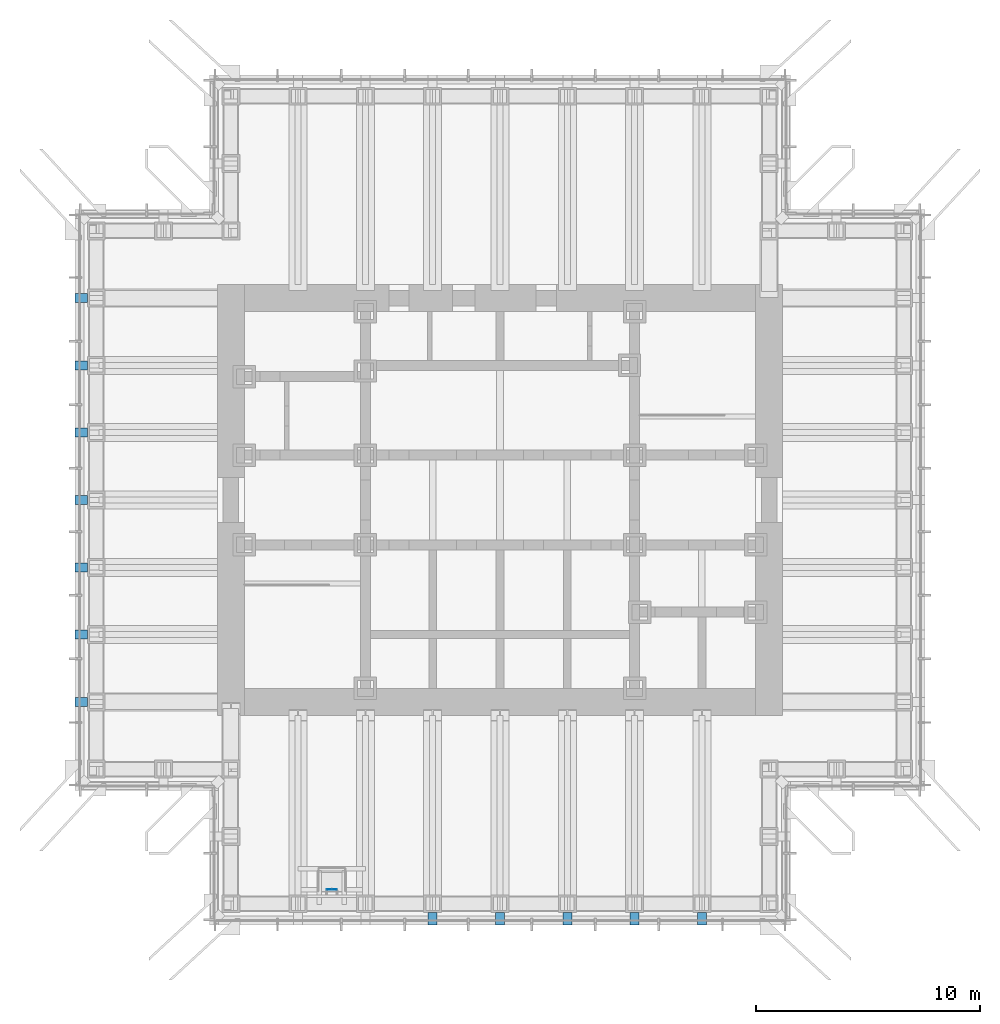
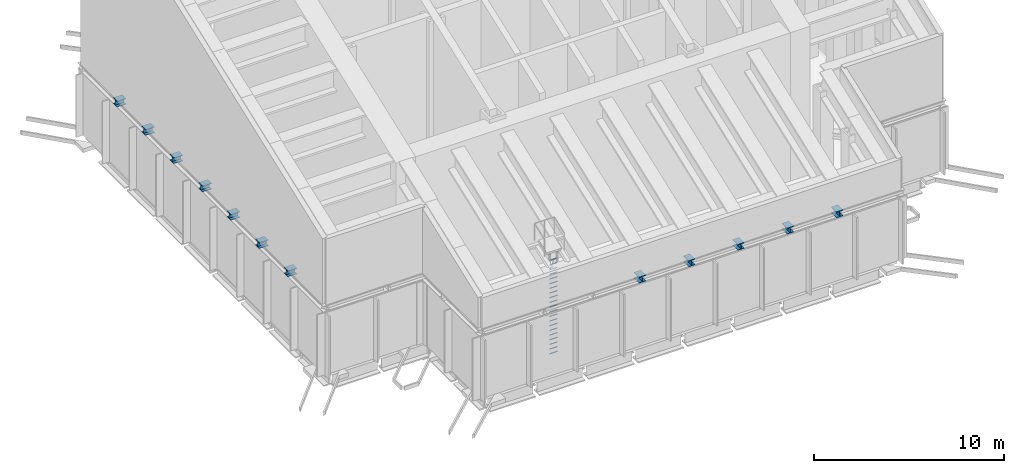
# One storey, part 8 of 15: 21 members, 12 beams.
"""IFC4 building model written with IfcOpenShell, lengths in metres."""

import ifcopenshell
import ifcopenshell.guid

model = None  # the IFC model being written
_history = None  # IfcOwnerHistory: only IFC2X3 demands one
_inside = {}  # id of a spatial element -> (the spatial element, [elements in it])
_under = {}  # id of a project, library or spatial element -> (it, [spatial elements below it])
_declared = {}  # id of a project -> (the project, [libraries it declares])
_typed = {}  # id of a type object -> (the type object, [elements of that type])
_made_of = {}  # id of a material, layer set ... -> (it, [elements and type objects made of it])


def new_model(schema):
    """Start an empty IFC model of exactly this schema.

    Asked for "IFC4X3", IfcOpenShell would pick the latest addendum, in which some entities
    have other attributes; the version numbers below select the first issue.
    IFC2X3 requires an IfcOwnerHistory on every rooted entity: one is made here for all.
    """
    global model, _history
    if schema == "IFC4X3":
        model = ifcopenshell.file(schema_version=(4, 3, 0, 0))
    else:
        model = ifcopenshell.file(schema=schema)
    _inside.clear()
    _under.clear()
    _declared.clear()
    _typed.clear()
    _made_of.clear()
    _history = None
    if model.schema == "IFC2X3":
        org = make("IfcOrganization", Name="unknown")
        user = make(
            "IfcPersonAndOrganization",
            ThePerson=make("IfcPerson", FamilyName="unknown"),
            TheOrganization=org,
        )
        app = make(
            "IfcApplication",
            ApplicationDeveloper=org,
            Version="unknown",
            ApplicationFullName="unknown",
            ApplicationIdentifier="unknown",
        )
        _history = make(
            "IfcOwnerHistory",
            OwningUser=user,
            OwningApplication=app,
            ChangeAction="ADDED",
            CreationDate=0,
        )
    return model


def make(cls, **values):
    """One entity of the class cls with the attributes given. An attribute that is None is left unset."""
    return model.create_entity(
        cls, **{name: value for name, value in values.items() if value is not None}
    )


def rooted(cls, **values):
    """An entity with a GlobalId (a new one), such as an element, a storey or a relation."""
    return make(cls, GlobalId=ifcopenshell.guid.new(), OwnerHistory=_history, **values)


def si_unit(unit_type, name, prefix=None):
    """IfcSIUnit, for example si_unit("LENGTHUNIT", "METRE", prefix="MILLI")."""
    return make("IfcSIUnit", UnitType=unit_type, Prefix=prefix, Name=name)


def assignment(units):
    """IfcUnitAssignment: the units of a project."""
    return None if units is None else make("IfcUnitAssignment", Units=units)


def point(xyz):
    """IfcCartesianPoint."""
    return None if xyz is None else make("IfcCartesianPoint", Coordinates=xyz)


def direction(xyz):
    """IfcDirection."""
    return None if xyz is None else make("IfcDirection", DirectionRatios=xyz)


def frame(location, z_axis=None, x_axis=None):
    """IfcAxis2Placement3D, a coordinate frame: its origin and axes. An axis left out is left unset."""
    return make(
        "IfcAxis2Placement3D",
        Location=point(location),
        Axis=direction(z_axis),
        RefDirection=direction(x_axis),
    )


def frame_2d(location, x_axis=None):
    """IfcAxis2Placement2D, a coordinate frame in the plane: its origin and x axis."""
    return make(
        "IfcAxis2Placement2D", Location=point(location), RefDirection=direction(x_axis)
    )


def origin():
    """The frame at (0, 0, 0) with its axes left unset."""
    return frame((0.0, 0.0, 0.0))


def origin_2d():
    """The frame at (0, 0) in the plane with its x axis left unset."""
    return frame_2d((0.0, 0.0))


def place(relative_to, where):
    """IfcLocalPlacement: puts the frame where relative to a parent placement (None: the world)."""
    return make(
        "IfcLocalPlacement", PlacementRelTo=relative_to, RelativePlacement=where
    )


def context(
    kind, dimensions, precision=None, world=None, true_north=None, identifier=None
):
    """IfcGeometricRepresentationContext, for example the 3D "Model" context."""
    return make(
        "IfcGeometricRepresentationContext",
        ContextIdentifier=identifier,
        ContextType=kind,
        CoordinateSpaceDimension=dimensions,
        Precision=precision,
        WorldCoordinateSystem=world,
        TrueNorth=true_north,
    )


def subcontext(parent, identifier, kind, view, scale=None):
    """IfcGeometricRepresentationSubContext, for example "Body" below "Model"."""
    return make(
        "IfcGeometricRepresentationSubContext",
        ContextIdentifier=identifier,
        ContextType=kind,
        ParentContext=parent,
        TargetScale=scale,
        TargetView=view,
    )


def project(units=None, contexts=None):
    """IfcProject with its units and contexts."""
    return rooted(
        "IfcProject",
        Name="project",
        RepresentationContexts=contexts,
        UnitsInContext=assignment(units),
    )


def spatial(cls, under=None, at=None, **own):
    """A site, building, storey or space (cls), placed at a placement, below another one or the project."""
    s = rooted(cls, ObjectPlacement=at, **own)
    if under is not None:
        _under.setdefault(under.id(), (under, []))[1].append(s)
    return s


def profile(cls, at=None, kind="AREA", **sizes):
    """A parametric profile (cls). Its sizes go by their IFC names, for example OverallWidth=200.0."""
    return make(cls, ProfileType=kind, Position=at, **sizes)


def rectangle(**sizes):
    """IfcRectangleProfileDef."""
    return profile("IfcRectangleProfileDef", **sizes)


def i_section(**sizes):
    """IfcIShapeProfileDef."""
    return profile("IfcIShapeProfileDef", **sizes)


def extrude(swept, where, along, depth):
    """IfcExtrudedAreaSolid: the profile swept, set in the frame where, extruded along a direction by depth."""
    return make(
        "IfcExtrudedAreaSolid",
        SweptArea=swept,
        Position=where,
        ExtrudedDirection=direction(along),
        Depth=depth,
    )


def shape(context_of_items, identifier, shape_type, items):
    """IfcShapeRepresentation: the items that make up one representation, for example the "Body"."""
    return make(
        "IfcShapeRepresentation",
        ContextOfItems=context_of_items,
        RepresentationIdentifier=identifier,
        RepresentationType=shape_type,
        Items=items,
    )


def material(Name=None, Category=None):
    """IfcMaterial."""
    return make("IfcMaterial", Name=Name, Category=Category)


def material_profile(
    of_material, cross_section, Name=None, Category=None, Priority=None
):
    """IfcMaterialProfile: a cross section and its material."""
    return make(
        "IfcMaterialProfile",
        Name=Name,
        Material=of_material,
        Profile=cross_section,
        Priority=Priority,
        Category=Category,
    )


def profile_set(profiles, Name=None, composite=None):
    """IfcMaterialProfileSet."""
    return make(
        "IfcMaterialProfileSet",
        Name=Name,
        MaterialProfiles=profiles,
        CompositeProfile=composite,
    )


def made_of(thing, what):
    """Note that an element or type object is made of a material, layer set ...; save() writes the relation."""
    if what is not None:
        _made_of.setdefault(what.id(), (what, []))[1].append(thing)
    return thing


def type_object(cls, material=None, **own):
    """A type object (cls), such as IfcWallType, which elements share."""
    return made_of(rooted(cls, **own), material)


def element(
    cls,
    number,
    at=None,
    inside=None,
    cuts=None,
    type_object=None,
    material=None,
    context=None,
    identifier="Body",
    shape_type=None,
    held_by="IfcProductDefinitionShape",
    body=None,
    shapes=None,
    **own,
):
    """One element of the class cls, such as IfcWall. Its Tag is "e" and its number.

    at: its placement. inside: the storey or other place that contains it. cuts: it is an
    opening in that element (IfcRelVoidsElement). A single representation is given by context,
    identifier, shape_type and body (its items); several are given by shapes. held_by: the class
    of the entity that holds the representations. save() writes the other relations.
    """
    e = rooted(cls, Tag="e%d" % number, ObjectPlacement=at, **own)
    if body is not None:
        shapes = [shape(context, identifier, shape_type, body)]
    if shapes is not None:
        e.Representation = make(held_by, Representations=shapes)
    if inside is not None:
        _inside.setdefault(inside.id(), (inside, []))[1].append(e)
    if cuts is not None:
        rooted(
            "IfcRelVoidsElement", RelatingBuildingElement=cuts, RelatedOpeningElement=e
        )
    if type_object is not None:
        _typed.setdefault(type_object.id(), (type_object, []))[1].append(e)
    return made_of(e, material)


def aggregate(whole, parts):
    """IfcRelAggregates: a whole, such as a stair, and the parts it consists of."""
    return rooted("IfcRelAggregates", RelatingObject=whole, RelatedObjects=parts)


def save(model, path):
    """Write the relations noted so far, then the file.

    IfcRelAggregates (storeys below a building ...), IfcRelContainedInSpatialStructure (elements
    in a storey), IfcRelDefinesByType, IfcRelAssociatesMaterial and IfcRelDeclares: one each for
    every whole, place, type object, material and project.
    """
    for whole, parts in _under.values():
        aggregate(whole, parts)
    for where, things in _inside.values():
        rooted(
            "IfcRelContainedInSpatialStructure",
            RelatedElements=things,
            RelatingStructure=where,
        )
    for kind, things in _typed.values():
        rooted("IfcRelDefinesByType", RelatedObjects=things, RelatingType=kind)
    for what, things in _made_of.values():
        rooted("IfcRelAssociatesMaterial", RelatedObjects=things, RelatingMaterial=what)
    for by, libraries in _declared.values():
        rooted("IfcRelDeclares", RelatingContext=by, RelatedDefinitions=libraries)
    model.write(path)


model = new_model("IFC4")

# Units and contexts
model_context = context("Model", 3, precision=1e-05, world=origin(), true_north=direction((0.0, 1.0)))
body_context = subcontext(model_context, "Body", "Model", "MODEL_VIEW")
ifc_project = project(units=[si_unit("LENGTHUNIT", "METRE"), si_unit("AREAUNIT", "SQUARE_METRE"), si_unit("VOLUMEUNIT", "CUBIC_METRE"), si_unit("PLANEANGLEUNIT", "RADIAN"), si_unit("MASSUNIT", "GRAM", prefix="KILO")], contexts=[model_context])

# Site, building, storey
site_placement = place(None, origin())
site = spatial("IfcSite", under=ifc_project, at=site_placement, CompositionType="ELEMENT")
building_placement = place(site_placement, origin())
building = spatial("IfcBuilding", under=site, at=building_placement, Name="Daluyong Arena Tower", CompositionType="ELEMENT")
storey_placement = place(building_placement, frame((0.0, 0.0, 285.699951171875)))
storey = spatial("IfcBuildingStorey", under=building, at=storey_placement, Name="L64", CompositionType="ELEMENT", Elevation=285.699951171875)

# Beams
ifc_material_1 = material(Name="Steel ASTM A992 Grade 50", Category="steel")
ifc_material_profile_1 = material_profile(ifc_material_1, i_section(OverallWidth=0.398681640625, OverallDepth=0.385986328125, WebThickness=0.02099609375, FlangeThickness=0.033203125, at=origin_2d()))
ifc_profile_set_1 = profile_set([ifc_material_profile_1], Name="Steel ASTM A992 Grade 50")
beam_type = type_object("IfcBeamType", Name="Crown louvre bracket W14X176", PredefinedType="BEAM", material=ifc_profile_set_1)
for number, where, z_axis, x_axis, name in (
    (1, (53.0, 61.60009765625, 4.39306640625), (0.0, -1.0, 0.0), (1.0, 0.0, 0.0), "crown louvre bracket LB1"),
    (2, (56.0, 61.60009765625, 4.39306640625), (0.0, -1.0, 0.0), (1.0, 0.0, 0.0), "crown louvre bracket LB1"),
    (3, (59.0, 61.60009765625, 4.39306640625), (0.0, -1.0, 0.0), (1.0, 0.0, 0.0), "crown louvre bracket LB1"),
    (4, (62.0, 61.60009765625, 4.39306640625), (0.0, -1.0, 0.0), (1.0, 0.0, 0.0), "crown louvre bracket LB1"),
    (5, (65.0, 61.60009765625, 4.39306640625), (0.0, -1.0, 0.0), (1.0, 0.0, 0.0), "crown louvre bracket LB1"),
    (6, (37.60009765625, 89.0, 4.39306640625), (-1.0, 0.0, 0.0), (0.0, -1.0, 0.0), "crown louvre bracket LB1"),
    (7, (37.60009765625, 86.0, 4.39306640625), (-1.0, 0.0, 0.0), (0.0, -1.0, 0.0), "crown louvre bracket LB1"),
    (8, (37.60009765625, 83.0, 4.39306640625), (-1.0, 0.0, 0.0), (0.0, -1.0, 0.0), "crown louvre bracket LB1"),
    (9, (37.60009765625, 80.0, 4.39306640625), (-1.0, 0.0, 0.0), (0.0, -1.0, 0.0), "crown louvre bracket LB1"),
    (10, (37.60009765625, 77.0, 4.39306640625), (-1.0, 0.0, 0.0), (0.0, -1.0, 0.0), "crown louvre bracket LB1"),
    (11, (37.60009765625, 74.0, 4.39306640625), (-1.0, 0.0, 0.0), (0.0, -1.0, 0.0), "crown louvre bracket LB1"),
    (12, (37.60009765625, 71.0, 4.39306640625), (-1.0, 0.0, 0.0), (0.0, -1.0, 0.0), "crown louvre bracket LB1"),
):
    element("IfcBeam", number, at=place(storey_placement, frame(where, z_axis=z_axis, x_axis=x_axis)), inside=storey, type_object=beam_type, Name=name, PredefinedType="BEAM", context=body_context, shape_type="SweptSolid", body=[
        extrude(i_section(OverallWidth=0.398681640625, OverallDepth=0.385986328125, WebThickness=0.02099609375, FlangeThickness=0.033203125, at=origin_2d()), origin(), (0.0, 0.0, 1.0), 0.549560546875),
    ])

# Members
ifc_material_2 = material(Name="Galvanised steel ladder", Category="steel")
ifc_material_profile_2 = material_profile(ifc_material_2, rectangle(XDim=0.02490234375, YDim=0.02490234375, at=origin_2d()))
ifc_profile_set_2 = profile_set([ifc_material_profile_2], Name="Galvanised steel ladder")
member_type = type_object("IfcMemberType", Name="Roof access ladder rung 25", PredefinedType="MEMBER", material=ifc_profile_set_2)
for number, where, z_axis, x_axis, name in (
    (13, (48.27490234375, 62.632568359375, 0.300048828125), (1.0, 0.0, 0.0), (0.0, 1.0, 0.0), "crown roof access ladder rung 1"),
    (14, (48.27490234375, 62.632568359375, 0.60009765625), (1.0, 0.0, 0.0), (0.0, 1.0, 0.0), "crown roof access ladder rung 2"),
    (15, (48.27490234375, 62.632568359375, 0.900146484375), (1.0, 0.0, 0.0), (0.0, 1.0, 0.0), "crown roof access ladder rung 3"),
    (16, (48.27490234375, 62.632568359375, 1.199951171875), (1.0, 0.0, 0.0), (0.0, 1.0, 0.0), "crown roof access ladder rung 4"),
    (17, (48.27490234375, 62.632568359375, 1.5), (1.0, 0.0, 0.0), (0.0, 1.0, 0.0), "crown roof access ladder rung 5"),
    (18, (48.27490234375, 62.632568359375, 1.800048828125), (1.0, 0.0, 0.0), (0.0, 1.0, 0.0), "crown roof access ladder rung 6"),
    (19, (48.27490234375, 62.632568359375, 2.10009765625), (1.0, 0.0, 0.0), (0.0, 1.0, 0.0), "crown roof access ladder rung 7"),
    (20, (48.27490234375, 62.632568359375, 2.400146484375), (1.0, 0.0, 0.0), (0.0, 1.0, 0.0), "crown roof access ladder rung 8"),
    (21, (48.27490234375, 62.632568359375, 2.699951171875), (1.0, 0.0, 0.0), (0.0, 1.0, 0.0), "crown roof access ladder rung 9"),
    (22, (48.27490234375, 62.632568359375, 3.0), (1.0, 0.0, 0.0), (0.0, 1.0, 0.0), "crown roof access ladder rung 10"),
    (23, (48.27490234375, 62.632568359375, 3.300048828125), (1.0, 0.0, 0.0), (0.0, 1.0, 0.0), "crown roof access ladder rung 11"),
    (24, (48.27490234375, 62.632568359375, 3.60009765625), (1.0, 0.0, 0.0), (0.0, 1.0, 0.0), "crown roof access ladder rung 12"),
    (25, (48.27490234375, 62.632568359375, 3.900146484375), (1.0, 0.0, 0.0), (0.0, 1.0, 0.0), "crown roof access ladder rung 13"),
    (26, (48.27490234375, 62.632568359375, 4.199951171875), (1.0, 0.0, 0.0), (0.0, 1.0, 0.0), "crown roof access ladder rung 14"),
    (27, (48.27490234375, 62.632568359375, 4.5), (1.0, 0.0, 0.0), (0.0, 1.0, 0.0), "crown roof access ladder rung 15"),
    (28, (48.27490234375, 62.632568359375, 4.800048828125), (1.0, 0.0, 0.0), (0.0, 1.0, 0.0), "crown roof access ladder rung 16"),
    (29, (48.27490234375, 62.632568359375, 5.10009765625), (1.0, 0.0, 0.0), (0.0, 1.0, 0.0), "crown roof access ladder rung 17"),
    (30, (48.27490234375, 62.632568359375, 5.400146484375), (1.0, 0.0, 0.0), (0.0, 1.0, 0.0), "crown roof access ladder rung 18"),
    (31, (48.27490234375, 62.632568359375, 5.699951171875), (1.0, 0.0, 0.0), (0.0, 1.0, 0.0), "crown roof access ladder rung 19"),
    (32, (48.27490234375, 62.632568359375, 6.0), (1.0, 0.0, 0.0), (0.0, 1.0, 0.0), "crown roof access ladder rung 20"),
    (33, (48.27490234375, 62.632568359375, 6.300048828125), (1.0, 0.0, 0.0), (0.0, 1.0, 0.0), "crown roof access ladder rung 21"),
):
    element("IfcMember", number, at=place(storey_placement, frame(where, z_axis=z_axis, x_axis=x_axis)), inside=storey, type_object=member_type, Name=name, PredefinedType="MEMBER", context=body_context, shape_type="SweptSolid", body=[
        extrude(rectangle(XDim=0.02490234375, YDim=0.02490234375, at=origin_2d()), origin(), (0.0, 0.0, 1.0), 0.4501953125),
    ])

save(model, "model.ifc")
